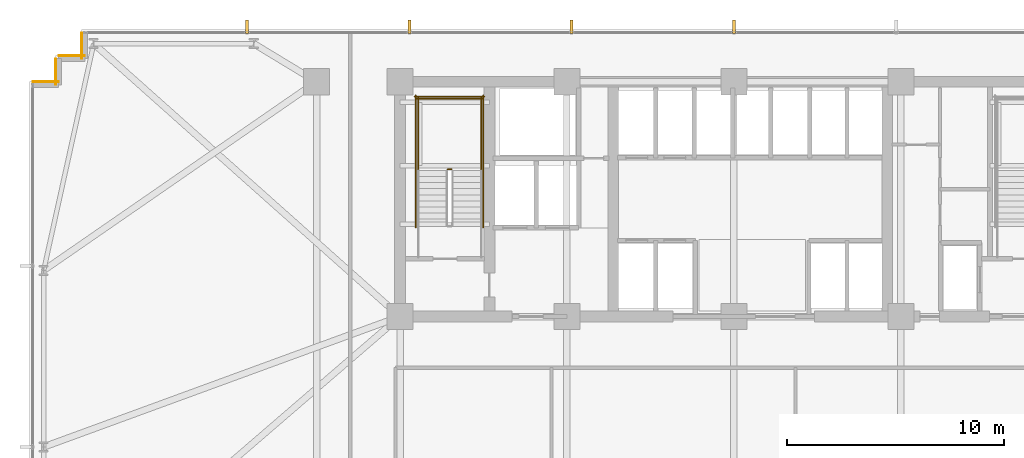
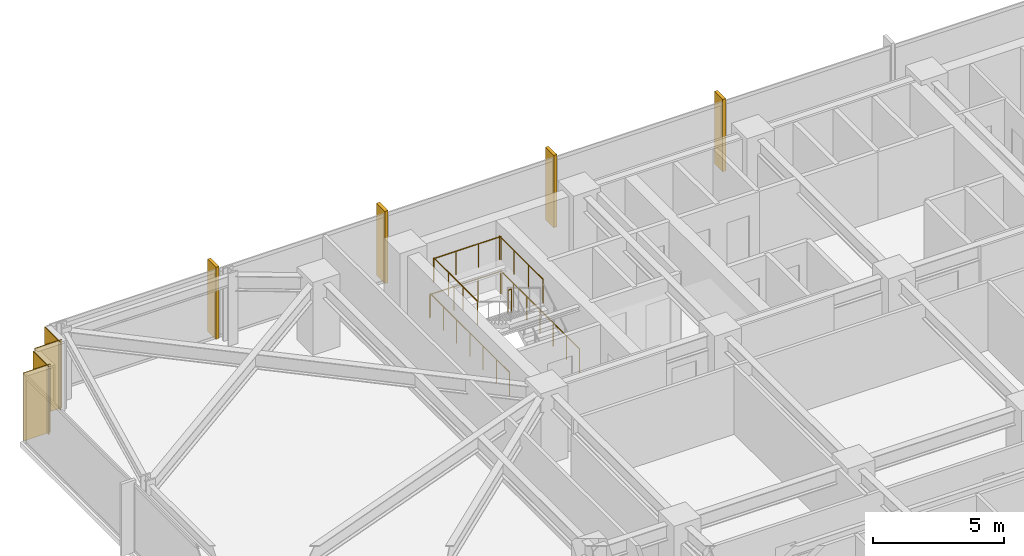
# One storey, part 31 of 33: 7 railings, 4 coverings, 4 shading devices.
"""IFC4 building model written with IfcOpenShell, lengths in metres."""

from ifc_helpers import new_model, si_unit, direction, frame, frame_2d, origin, origin_2d, place, context, subcontext, project, spatial, rectangle, circle, extrude, material, layer, layer_set, type_object, element, save


model = new_model("IFC4")

# Units and contexts
model_context = context("Model", 3, precision=1e-05, world=origin(), true_north=direction((0.0, 1.0)))
body_context = subcontext(model_context, "Body", "Model", "MODEL_VIEW")
ifc_project = project(units=[si_unit("LENGTHUNIT", "METRE"), si_unit("AREAUNIT", "SQUARE_METRE"), si_unit("VOLUMEUNIT", "CUBIC_METRE"), si_unit("PLANEANGLEUNIT", "RADIAN"), si_unit("MASSUNIT", "GRAM", prefix="KILO")], contexts=[model_context])

# Site, building, storey
site_placement = place(None, origin())
site = spatial("IfcSite", under=ifc_project, at=site_placement, CompositionType="ELEMENT")
building_placement = place(site_placement, origin())
building = spatial("IfcBuilding", under=site, at=building_placement, Name="Yelkora Congress Tower", CompositionType="ELEMENT")
storey_placement = place(building_placement, frame((0.0, 0.0, 37.199951171875)))
storey = spatial("IfcBuildingStorey", under=building, at=storey_placement, Name="L08", CompositionType="ELEMENT", Elevation=37.199951171875)

# Coverings
ifc_material_1 = material(Name="Anatolian bush-hammered limestone", Category="masonry")
ifc_layer_1 = layer(ifc_material_1, 0.0400390625)
ifc_layer_set_1 = layer_set([ifc_layer_1], Name="Anatolian bush-hammered limestone")
covering_type = type_object("IfcCoveringType", Name="COV-CLAD-SPANDREL-40", PredefinedType="CLADDING", material=ifc_layer_set_1)
covering_placement = place(storey_placement, frame((6.139892578125, 46.195068359375, 0.0), z_axis=(0.0, 0.0, 1.0), x_axis=(1.0, 0.0, 0.0)))
element("IfcCovering", 1, at=covering_placement, inside=storey, type_object=covering_type, Name="L08 Anatolian Limestone Cladding EW-L08-SR06", PredefinedType="CLADDING", context=body_context, shape_type="SweptSolid", body=[
    extrude(rectangle(XDim=1.2001953125, YDim=0.0400390625, at=frame_2d((0.60009765625, 0.0))), origin(), (0.0, 0.0, 1.0), 3.179931640625),
])
for number, where, z_axis, x_axis, name in (
    (2, (7.205078125, 46.06005859375, 0.0), (0.0, 0.0, 1.0), (0.0, 1.0, 0.0), "L08 Anatolian Limestone Cladding EW-L08-SR07"),
    (3, (7.340087890625, 47.39501953125, 0.0), (0.0, 0.0, 1.0), (1.0, 0.0, 0.0), "L08 Anatolian Limestone Cladding EW-L08-SR08"),
    (4, (8.405029296875, 47.260009765625, 0.0), (0.0, 0.0, 1.0), (0.0, 1.0, 0.0), "L08 Anatolian Limestone Cladding EW-L08-SR09"),
):
    element("IfcCovering", number, at=place(storey_placement, frame(where, z_axis=z_axis, x_axis=x_axis)), inside=storey, type_object=covering_type, Name=name, PredefinedType="CLADDING", context=body_context, shape_type="SweptSolid", body=[
        extrude(rectangle(XDim=1.199951171875, YDim=0.0400390625, at=frame_2d((0.60009765625, 0.0))), origin(), (0.0, 0.0, 1.0), 3.179931640625),
    ])

# Railings
ifc_material_2 = material(Name="Painted galvanised steel stair well guard with vertical infill", Category="steel")
ifc_layer_2 = layer(ifc_material_2, 0.06005859375)
ifc_layer_set_2 = layer_set([ifc_layer_2], Name="Painted galvanised steel stair well guard with vertical infill")
railing_type = type_object("IfcRailingType", Name="RAIL-STAIR-GUARD-1120", PredefinedType="GUARDRAIL", material=ifc_layer_set_2)
railing_1_placement = place(storey_placement, frame((25.39990234375, 42.169921875, 1.699951171875)))
element("IfcRailing", 5, at=railing_1_placement, inside=storey, type_object=railing_type, Name="ST-01 L08 Stair Well Guardrail 2", PredefinedType="GUARDRAIL", context=body_context, shape_type="SweptSolid", body=[
    extrude(circle(Radius=0.02392578125, at=origin_2d()), frame((0.0, 0.0, 1.09619140625), z_axis=(-1.0, 0.0, 0.0), x_axis=(0.0, -1.0, 0.0)), (0.0, 0.0, 1.0), 0.159912109375),
    extrude(circle(Radius=0.02099609375, at=origin_2d()), origin(), (0.0, 0.0, 1.0), 1.072021484375),
    extrude(circle(Radius=0.02099609375, at=origin_2d()), frame((-0.159912109375, 0.0, 0.0)), (0.0, 0.0, 1.0), 1.072021484375),
])
for number, where, name in (
    (6, (26.77001953125, 42.1201171875, 1.699951171875), "ST-01 L08 Stair Well Guardrail 3"),
    (7, (23.8701171875, 42.1201171875, 1.699951171875), "ST-01 L08 Stair Well Guardrail 4"),
):
    element("IfcRailing", number, at=place(storey_placement, frame(where)), inside=storey, type_object=railing_type, Name=name, PredefinedType="GUARDRAIL", context=body_context, shape_type="SweptSolid", body=[
        extrude(circle(Radius=0.02392578125, at=origin_2d()), frame((0.0, 0.0, 1.09619140625), z_axis=(0.0, 1.0, 0.0), x_axis=(-1.0, 0.0, 0.0)), (0.0, 0.0, 1.0), 3.349853515625),
        extrude(circle(Radius=0.02099609375, at=origin_2d()), origin(), (0.0, 0.0, 1.0), 1.072021484375),
        extrude(circle(Radius=0.02099609375, at=origin_2d()), frame((0.0, 1.11669921875, 0.0)), (0.0, 0.0, 1.0), 1.072021484375),
        extrude(circle(Radius=0.02099609375, at=origin_2d()), frame((0.0, 2.233154296875, 0.0)), (0.0, 0.0, 1.0), 1.072021484375),
        extrude(circle(Radius=0.02099609375, at=origin_2d()), frame((0.0, 3.349853515625, 0.0)), (0.0, 0.0, 1.0), 1.072021484375),
    ])
railing_2_placement = place(storey_placement, frame((26.820068359375, 45.419921875, 1.699951171875)))
element("IfcRailing", 8, at=railing_2_placement, inside=storey, type_object=railing_type, Name="ST-01 L08 Stair Well Guardrail 5", PredefinedType="GUARDRAIL", context=body_context, shape_type="SweptSolid", body=[
    extrude(circle(Radius=0.02392578125, at=origin_2d()), frame((0.0, 0.0, 1.09619140625), z_axis=(-1.0, 0.0, 0.0), x_axis=(0.0, -1.0, 0.0)), (0.0, 0.0, 1.0), 3.0),
    extrude(circle(Radius=0.02099609375, at=origin_2d()), origin(), (0.0, 0.0, 1.0), 1.072021484375),
    extrude(circle(Radius=0.02099609375, at=origin_2d()), frame((-1.0, 0.0, 0.0)), (0.0, 0.0, 1.0), 1.072021484375),
    extrude(circle(Radius=0.02099609375, at=origin_2d()), frame((-2.0, 0.0, 0.0)), (0.0, 0.0, 1.0), 1.072021484375),
    extrude(circle(Radius=0.02099609375, at=origin_2d()), frame((-3.0, 0.0, 0.0)), (0.0, 0.0, 1.0), 1.072021484375),
])
for number, where, name in (
    (9, (26.8701171875, 39.5, 0.0), "ST-01 L08 Stair Well Guardrail 10"),
    (10, (23.77001953125, 39.5, 0.0), "ST-01 L08 Stair Well Guardrail 11"),
):
    element("IfcRailing", number, at=place(storey_placement, frame(where)), inside=storey, type_object=railing_type, Name=name, PredefinedType="GUARDRAIL", context=body_context, shape_type="SweptSolid", body=[
        extrude(circle(Radius=0.02392578125, at=origin_2d()), frame((0.0, 0.0, 1.09619140625), z_axis=(0.0, 1.0, 0.0), x_axis=(-1.0, 0.0, 0.0)), (0.0, 0.0, 1.0), 6.070068359375),
        extrude(circle(Radius=0.02099609375, at=origin_2d()), origin(), (0.0, 0.0, 1.0), 1.072021484375),
        extrude(circle(Radius=0.02099609375, at=origin_2d()), frame((0.0, 1.01171875, 0.0)), (0.0, 0.0, 1.0), 1.072021484375),
        extrude(circle(Radius=0.02099609375, at=origin_2d()), frame((0.0, 2.0234375, 0.0)), (0.0, 0.0, 1.0), 1.072021484375),
        extrude(circle(Radius=0.02099609375, at=origin_2d()), frame((0.0, 3.03515625, 0.0)), (0.0, 0.0, 1.0), 1.072021484375),
        extrude(circle(Radius=0.02099609375, at=origin_2d()), frame((0.0, 4.046630859375, 0.0)), (0.0, 0.0, 1.0), 1.072021484375),
        extrude(circle(Radius=0.02099609375, at=origin_2d()), frame((0.0, 5.058349609375, 0.0)), (0.0, 0.0, 1.0), 1.072021484375),
        extrude(circle(Radius=0.02099609375, at=origin_2d()), frame((0.0, 6.070068359375, 0.0)), (0.0, 0.0, 1.0), 1.072021484375),
    ])
railing_3_placement = place(storey_placement, frame((26.919921875, 45.52001953125, 0.0)))
element("IfcRailing", 11, at=railing_3_placement, inside=storey, type_object=railing_type, Name="ST-01 L08 Stair Well Guardrail 12", PredefinedType="GUARDRAIL", context=body_context, shape_type="SweptSolid", body=[
    extrude(circle(Radius=0.02392578125, at=origin_2d()), frame((0.0, 0.0, 1.09619140625), z_axis=(-1.0, 0.0, 0.0), x_axis=(0.0, -1.0, 0.0)), (0.0, 0.0, 1.0), 3.199951171875),
    extrude(circle(Radius=0.02099609375, at=origin_2d()), origin(), (0.0, 0.0, 1.0), 1.072021484375),
    extrude(circle(Radius=0.02099609375, at=origin_2d()), frame((-1.066650390625, 0.0, 0.0)), (0.0, 0.0, 1.0), 1.072021484375),
    extrude(circle(Radius=0.02099609375, at=origin_2d()), frame((-2.13330078125, 0.0, 0.0)), (0.0, 0.0, 1.0), 1.072021484375),
    extrude(circle(Radius=0.02099609375, at=origin_2d()), frame((-3.199951171875, 0.0, 0.0)), (0.0, 0.0, 1.0), 1.072021484375),
])

# Shading devices
ifc_material_3 = material(Name="Champagne anodised aluminium", Category="aluminium")
ifc_layer_3 = layer(ifc_material_3, 3.39990234375)
ifc_layer_set_3 = layer_set([ifc_layer_3], Name="Champagne anodised aluminium")
shading_device_type = type_object("IfcShadingDeviceType", Name="SHD-FIN-ALU-640", PredefinedType="USERDEFINED", material=ifc_layer_set_3)
for number, where, z_axis, x_axis, name in (
    (12, (16.0048828125, 48.719970703125, -0.02978515625), (0.0, 0.0, 1.0), (1.0, 0.0, 0.0), "L08 Vertical Anodised Solar Fin 10-1"),
    (13, (23.469970703125, 48.719970703125, -0.02978515625), (0.0, 0.0, 1.0), (1.0, 0.0, 0.0), "L08 Vertical Anodised Solar Fin 10-2"),
    (14, (30.93505859375, 48.719970703125, -0.02978515625), (0.0, 0.0, 1.0), (1.0, 0.0, 0.0), "L08 Vertical Anodised Solar Fin 10-3"),
    (15, (38.39990234375, 48.719970703125, -0.02978515625), (0.0, 0.0, 1.0), (1.0, 0.0, 0.0), "L08 Vertical Anodised Solar Fin 10-4"),
):
    element("IfcShadingDevice", number, at=place(storey_placement, frame(where, z_axis=z_axis, x_axis=x_axis)), inside=storey, type_object=shading_device_type, Name=name, ObjectType="FIN", PredefinedType="USERDEFINED", context=body_context, shape_type="SweptSolid", body=[
        extrude(rectangle(XDim=0.139892578125, YDim=0.639892578125, at=origin_2d()), origin(), (0.0, 0.0, 1.0), 3.3798828125),
    ])

save(model, "model.ifc")
